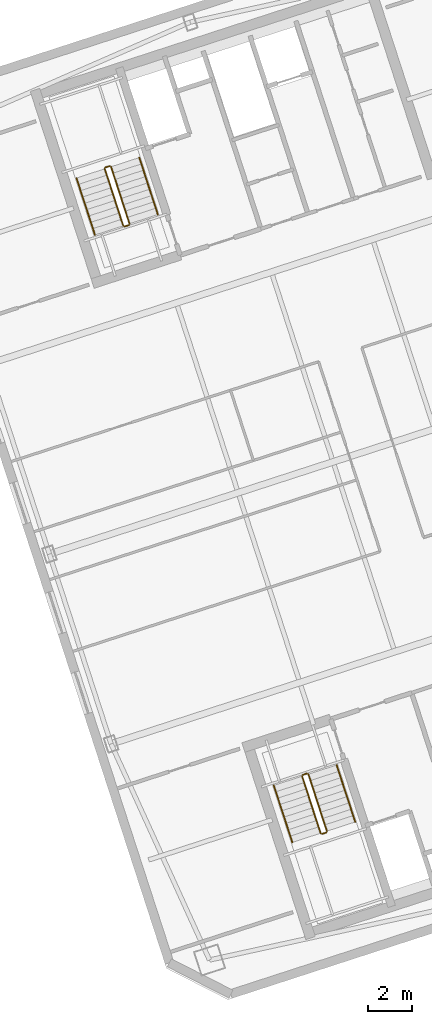
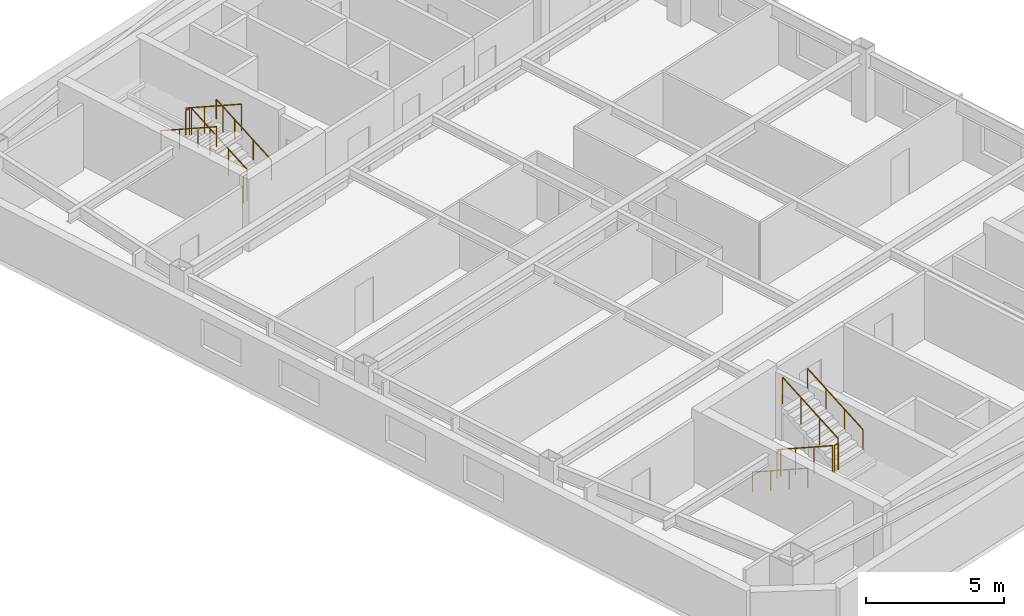
# One storey, part 20 of 20: 12 railings.
"""IFC4 building model written with IfcOpenShell, lengths in metres."""

from ifc_helpers import new_model, si_unit, direction, frame, origin, origin_2d, place, context, subcontext, project, spatial, circle, extrude, material, type_object, element, save


model = new_model("IFC4")

# Units and contexts
model_context = context("Model", 3, precision=1e-05, world=origin(), true_north=direction((0.0, 1.0)))
body_context = subcontext(model_context, "Body", "Model", "MODEL_VIEW")
ifc_project = project(units=[si_unit("LENGTHUNIT", "METRE"), si_unit("AREAUNIT", "SQUARE_METRE"), si_unit("VOLUMEUNIT", "CUBIC_METRE"), si_unit("PLANEANGLEUNIT", "RADIAN"), si_unit("MASSUNIT", "GRAM", prefix="KILO")], contexts=[model_context])

# Site, building, storey
site_placement = place(None, origin())
site = spatial("IfcSite", under=ifc_project, at=site_placement, CompositionType="ELEMENT")
building_placement = place(site_placement, origin())
building = spatial("IfcBuilding", under=site, at=building_placement, Name="Qiaolan Cultural Towers", CompositionType="ELEMENT")
storey_placement = place(building_placement, frame((0.0, 0.0, 244.0)))
storey = spatial("IfcBuildingStorey", under=building, at=storey_placement, Name="L66", CompositionType="ELEMENT", Elevation=244.0)

# Railings
ifc_material_1 = material(Name="Galvanized Painted Steel Stair Guardrail", Category="steel")
railing_type_1 = type_object("IfcRailingType", Name="RL-STAIR-GRD", PredefinedType="GUARDRAIL", material=ifc_material_1)
railing_1_placement = place(storey_placement, frame((88.60205078125, 19.82421875, 0.159912109375)))
element("IfcRailing", 1, at=railing_1_placement, inside=storey, type_object=railing_type_1, Name="L66 ST-E1 stair guard 1", PredefinedType="GUARDRAIL", context=body_context, shape_type="SweptSolid", body=[
    extrude(circle(Radius=0.02392578125, at=origin_2d()), frame((0.0, 0.0, 1.17578125), z_axis=(0.272691237034, -0.839135878035, 0.470627737643), x_axis=(0.951043371037, 0.309057448393, 0.0)), (0.0, 0.0, 1.0), 3.06005859375),
    extrude(circle(Radius=0.02099609375, at=origin_2d()), origin(), (0.0, 0.0, 1.0), 1.15185546875),
    extrude(circle(Radius=0.02099609375, at=origin_2d()), frame((0.278076171875, -0.85595703125, 0.47998046875)), (0.0, 0.0, 1.0), 1.15185546875),
    extrude(circle(Radius=0.02099609375, at=origin_2d()), frame((0.556396484375, -1.7119140625, 0.960205078125)), (0.0, 0.0, 1.0), 1.15185546875),
    extrude(circle(Radius=0.02099609375, at=origin_2d()), frame((0.83447265625, -2.56787109375, 1.440185546875)), (0.0, 0.0, 1.0), 1.15185546875),
])
railing_2_placement = place(storey_placement, frame((89.49951171875, 17.224365234375, 1.60009765625)))
element("IfcRailing", 2, at=railing_2_placement, inside=storey, type_object=railing_type_1, Name="L66 ST-E1 stair guard 2", PredefinedType="GUARDRAIL", context=body_context, shape_type="SweptSolid", body=[
    extrude(circle(Radius=0.02392578125, at=origin_2d()), frame((0.0, 0.0, 1.17578125), z_axis=(0.951096855055, 0.308892816854, 0.0), x_axis=(-0.308892816854, 0.951096855055, 0.0)), (0.0, 0.0, 1.0), 0.199951171875),
    extrude(circle(Radius=0.02099609375, at=origin_2d()), origin(), (0.0, 0.0, 1.0), 1.15185546875),
    extrude(circle(Radius=0.02099609375, at=origin_2d()), frame((0.190185546875, 0.061767578125, 0.0)), (0.0, 0.0, 1.0), 1.15185546875),
])
railing_3_placement = place(storey_placement, frame((89.721923828125, 17.34912109375, 1.760009765625)))
element("IfcRailing", 3, at=railing_3_placement, inside=storey, type_object=railing_type_1, Name="L66 ST-E1 stair guard 3", PredefinedType="GUARDRAIL", context=body_context, shape_type="SweptSolid", body=[
    extrude(circle(Radius=0.02392578125, at=origin_2d()), frame((0.0, 0.0, 1.17578125), z_axis=(-0.272701475514, 0.839167384275, 0.470565623926), x_axis=(-0.951043371037, -0.309057448393, 0.0)), (0.0, 0.0, 1.0), 3.06005859375),
    extrude(circle(Radius=0.02099609375, at=origin_2d()), origin(), (0.0, 0.0, 1.0), 1.15185546875),
    extrude(circle(Radius=0.02099609375, at=origin_2d()), frame((-0.278076171875, 0.85595703125, 0.47998046875)), (0.0, 0.0, 1.0), 1.15185546875),
    extrude(circle(Radius=0.02099609375, at=origin_2d()), frame((-0.556396484375, 1.7119140625, 0.9599609375)), (0.0, 0.0, 1.0), 1.15185546875),
    extrude(circle(Radius=0.02099609375, at=origin_2d()), frame((-0.83447265625, 2.56787109375, 1.43994140625)), (0.0, 0.0, 1.0), 1.15185546875),
])
railing_4_placement = place(storey_placement, frame((88.63427734375, 19.88720703125, 0.0)))
element("IfcRailing", 4, at=railing_4_placement, inside=storey, type_object=railing_type_1, Name="L66 ST-E1 stair guard 4", PredefinedType="GUARDRAIL", context=body_context, shape_type="SweptSolid", body=[
    extrude(circle(Radius=0.02392578125, at=origin_2d()), frame((0.0, 0.0, 1.17578125), z_axis=(0.951096855055, 0.308892816854, 0.0), x_axis=(-0.308892816854, 0.951096855055, 0.0)), (0.0, 0.0, 1.0), 0.199951171875),
    extrude(circle(Radius=0.02099609375, at=origin_2d()), origin(), (0.0, 0.0, 1.0), 1.15185546875),
    extrude(circle(Radius=0.02099609375, at=origin_2d()), frame((0.190185546875, 0.061767578125, 0.0)), (0.0, 0.0, 1.0), 1.15185546875),
])
railing_5_placement = place(storey_placement, frame((80.822021484375, 44.739501953125, 0.159912109375)))
element("IfcRailing", 5, at=railing_5_placement, inside=storey, type_object=railing_type_1, Name="L66 ST-E2 stair guard 1", PredefinedType="GUARDRAIL", context=body_context, shape_type="SweptSolid", body=[
    extrude(circle(Radius=0.02392578125, at=origin_2d()), frame((0.0, 0.0, 1.17578125), z_axis=(-0.27261738624, 0.839154131833, 0.47063797525), x_axis=(-0.951069945308, -0.308975661068, 0.0)), (0.0, 0.0, 1.0), 3.06005859375),
    extrude(circle(Radius=0.02099609375, at=origin_2d()), origin(), (0.0, 0.0, 1.0), 1.15185546875),
    extrude(circle(Radius=0.02099609375, at=origin_2d()), frame((-0.278076171875, 0.85595703125, 0.47998046875)), (0.0, 0.0, 1.0), 1.15185546875),
    extrude(circle(Radius=0.02099609375, at=origin_2d()), frame((-0.55615234375, 1.7119140625, 0.960205078125)), (0.0, 0.0, 1.0), 1.15185546875),
    extrude(circle(Radius=0.02099609375, at=origin_2d()), frame((-0.834228515625, 2.56787109375, 1.440185546875)), (0.0, 0.0, 1.0), 1.15185546875),
])
railing_6_placement = place(storey_placement, frame((79.9248046875, 47.33935546875, 1.60009765625)))
element("IfcRailing", 6, at=railing_6_placement, inside=storey, type_object=railing_type_1, Name="L66 ST-E2 stair guard 2", PredefinedType="GUARDRAIL", context=body_context, shape_type="SweptSolid", body=[
    extrude(circle(Radius=0.02392578125, at=origin_2d()), frame((0.0, 0.0, 1.17578125), z_axis=(-0.951096855055, -0.308892816854, 0.0), x_axis=(0.308892816854, -0.951096855055, 0.0)), (0.0, 0.0, 1.0), 0.199951171875),
    extrude(circle(Radius=0.02099609375, at=origin_2d()), origin(), (0.0, 0.0, 1.0), 1.15185546875),
    extrude(circle(Radius=0.02099609375, at=origin_2d()), frame((-0.190185546875, -0.061767578125, 0.0)), (0.0, 0.0, 1.0), 1.15185546875),
])
railing_7_placement = place(storey_placement, frame((79.702392578125, 47.214599609375, 1.760009765625)))
element("IfcRailing", 7, at=railing_7_placement, inside=storey, type_object=railing_type_1, Name="L66 ST-E2 stair guard 3", PredefinedType="GUARDRAIL", context=body_context, shape_type="SweptSolid", body=[
    extrude(circle(Radius=0.02392578125, at=origin_2d()), frame((0.0, 0.0, 1.17578125), z_axis=(0.272701475514, -0.839167384275, 0.470565623926), x_axis=(0.951043371037, 0.309057448393, 0.0)), (0.0, 0.0, 1.0), 3.06005859375),
    extrude(circle(Radius=0.02099609375, at=origin_2d()), origin(), (0.0, 0.0, 1.0), 1.15185546875),
    extrude(circle(Radius=0.02099609375, at=origin_2d()), frame((0.278076171875, -0.85595703125, 0.47998046875)), (0.0, 0.0, 1.0), 1.15185546875),
    extrude(circle(Radius=0.02099609375, at=origin_2d()), frame((0.556396484375, -1.7119140625, 0.9599609375)), (0.0, 0.0, 1.0), 1.15185546875),
    extrude(circle(Radius=0.02099609375, at=origin_2d()), frame((0.83447265625, -2.56787109375, 1.43994140625)), (0.0, 0.0, 1.0), 1.15185546875),
])
railing_8_placement = place(storey_placement, frame((80.7900390625, 44.676513671875, 0.0)))
element("IfcRailing", 8, at=railing_8_placement, inside=storey, type_object=railing_type_1, Name="L66 ST-E2 stair guard 4", PredefinedType="GUARDRAIL", context=body_context, shape_type="SweptSolid", body=[
    extrude(circle(Radius=0.02392578125, at=origin_2d()), frame((0.0, 0.0, 1.17578125), z_axis=(-0.951096855055, -0.308892816854, 0.0), x_axis=(0.308892816854, -0.951096855055, 0.0)), (0.0, 0.0, 1.0), 0.199951171875),
    extrude(circle(Radius=0.02099609375, at=origin_2d()), origin(), (0.0, 0.0, 1.0), 1.15185546875),
    extrude(circle(Radius=0.02099609375, at=origin_2d()), frame((-0.190185546875, -0.061767578125, 0.0)), (0.0, 0.0, 1.0), 1.15185546875),
])
ifc_material_2 = material(Name="Stainless Steel S30408 Tubular Handrail", Category="steel")
railing_type_2 = type_object("IfcRailingType", Name="RL-STAIR-HR", PredefinedType="HANDRAIL", material=ifc_material_2)
railing_9_placement = place(storey_placement, frame((87.32763671875, 19.41015625, 0.159912109375)))
element("IfcRailing", 9, at=railing_9_placement, inside=storey, type_object=railing_type_2, Name="L66 ST-E1 stair handrail 1", PredefinedType="HANDRAIL", context=body_context, shape_type="SweptSolid", body=[
    extrude(circle(Radius=0.02392578125, at=origin_2d()), frame((0.0, 0.0, 0.8759765625), z_axis=(0.272691237034, -0.839135878035, 0.470627737643), x_axis=(0.951043371037, 0.309057448393, 0.0)), (0.0, 0.0, 1.0), 3.06005859375),
    extrude(circle(Radius=0.02099609375, at=origin_2d()), origin(), (0.0, 0.0, 1.0), 0.851806640625),
    extrude(circle(Radius=0.02099609375, at=origin_2d()), frame((0.278076171875, -0.85595703125, 0.47998046875)), (0.0, 0.0, 1.0), 0.851806640625),
    extrude(circle(Radius=0.02099609375, at=origin_2d()), frame((0.556396484375, -1.7119140625, 0.960205078125)), (0.0, 0.0, 1.0), 0.851806640625),
    extrude(circle(Radius=0.02099609375, at=origin_2d()), frame((0.83447265625, -2.56787109375, 1.440185546875)), (0.0, 0.0, 1.0), 0.851806640625),
])
railing_10_placement = place(storey_placement, frame((90.996337890625, 17.76318359375, 1.760009765625)))
element("IfcRailing", 10, at=railing_10_placement, inside=storey, type_object=railing_type_2, Name="L66 ST-E1 stair handrail 2", PredefinedType="HANDRAIL", context=body_context, shape_type="SweptSolid", body=[
    extrude(circle(Radius=0.02392578125, at=origin_2d()), frame((0.0, 0.0, 0.8759765625), z_axis=(-0.272701475514, 0.839167384275, 0.470565623926), x_axis=(-0.951043371037, -0.309057448393, 0.0)), (0.0, 0.0, 1.0), 3.06005859375),
    extrude(circle(Radius=0.02099609375, at=origin_2d()), origin(), (0.0, 0.0, 1.0), 0.851806640625),
    extrude(circle(Radius=0.02099609375, at=origin_2d()), frame((-0.278076171875, 0.85595703125, 0.47998046875)), (0.0, 0.0, 1.0), 0.851806640625),
    extrude(circle(Radius=0.02099609375, at=origin_2d()), frame((-0.556396484375, 1.7119140625, 0.9599609375)), (0.0, 0.0, 1.0), 0.851806640625),
    extrude(circle(Radius=0.02099609375, at=origin_2d()), frame((-0.83447265625, 2.56787109375, 1.43994140625)), (0.0, 0.0, 1.0), 0.851806640625),
])
railing_11_placement = place(storey_placement, frame((82.096435546875, 45.153564453125, 0.159912109375)))
element("IfcRailing", 11, at=railing_11_placement, inside=storey, type_object=railing_type_2, Name="L66 ST-E2 stair handrail 1", PredefinedType="HANDRAIL", context=body_context, shape_type="SweptSolid", body=[
    extrude(circle(Radius=0.02392578125, at=origin_2d()), frame((0.0, 0.0, 0.8759765625), z_axis=(-0.27261738624, 0.839154131833, 0.47063797525), x_axis=(-0.951069945308, -0.308975661068, 0.0)), (0.0, 0.0, 1.0), 3.06005859375),
    extrude(circle(Radius=0.02099609375, at=origin_2d()), origin(), (0.0, 0.0, 1.0), 0.851806640625),
    extrude(circle(Radius=0.02099609375, at=origin_2d()), frame((-0.278076171875, 0.85595703125, 0.47998046875)), (0.0, 0.0, 1.0), 0.851806640625),
    extrude(circle(Radius=0.02099609375, at=origin_2d()), frame((-0.55615234375, 1.7119140625, 0.960205078125)), (0.0, 0.0, 1.0), 0.851806640625),
    extrude(circle(Radius=0.02099609375, at=origin_2d()), frame((-0.834228515625, 2.56787109375, 1.440185546875)), (0.0, 0.0, 1.0), 0.851806640625),
])
railing_12_placement = place(storey_placement, frame((78.427978515625, 46.800537109375, 1.760009765625)))
element("IfcRailing", 12, at=railing_12_placement, inside=storey, type_object=railing_type_2, Name="L66 ST-E2 stair handrail 2", PredefinedType="HANDRAIL", context=body_context, shape_type="SweptSolid", body=[
    extrude(circle(Radius=0.02392578125, at=origin_2d()), frame((0.0, 0.0, 0.8759765625), z_axis=(0.272701475514, -0.839167384275, 0.470565623926), x_axis=(0.951043371037, 0.309057448393, 0.0)), (0.0, 0.0, 1.0), 3.06005859375),
    extrude(circle(Radius=0.02099609375, at=origin_2d()), origin(), (0.0, 0.0, 1.0), 0.851806640625),
    extrude(circle(Radius=0.02099609375, at=origin_2d()), frame((0.278076171875, -0.85595703125, 0.47998046875)), (0.0, 0.0, 1.0), 0.851806640625),
    extrude(circle(Radius=0.02099609375, at=origin_2d()), frame((0.556396484375, -1.7119140625, 0.9599609375)), (0.0, 0.0, 1.0), 0.851806640625),
    extrude(circle(Radius=0.02099609375, at=origin_2d()), frame((0.83447265625, -2.56787109375, 1.43994140625)), (0.0, 0.0, 1.0), 0.851806640625),
])

save(model, "model.ifc")
